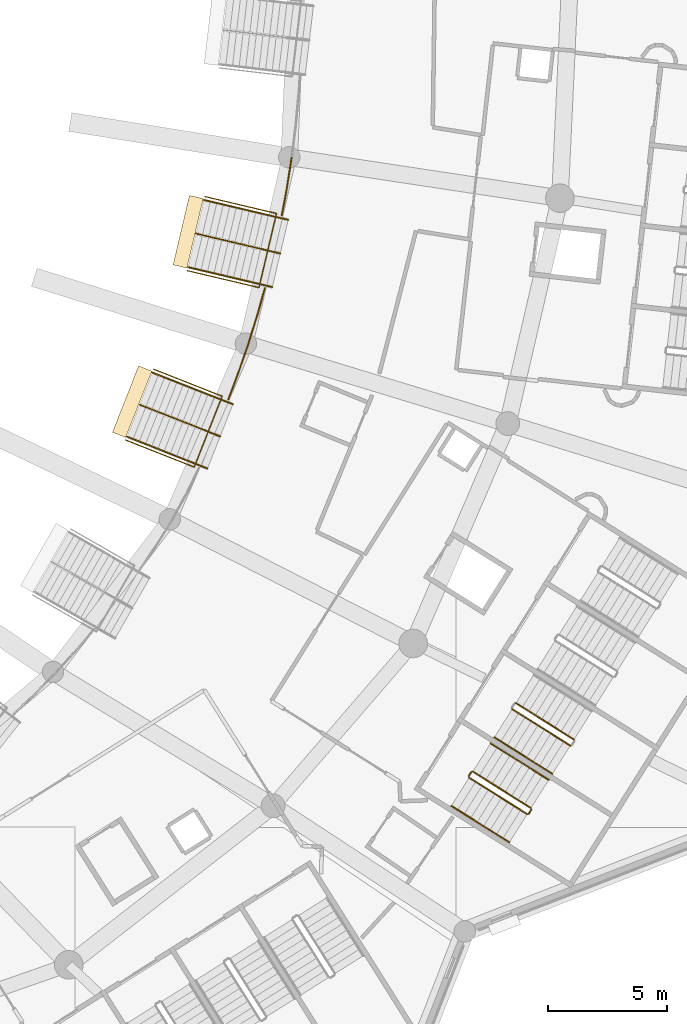
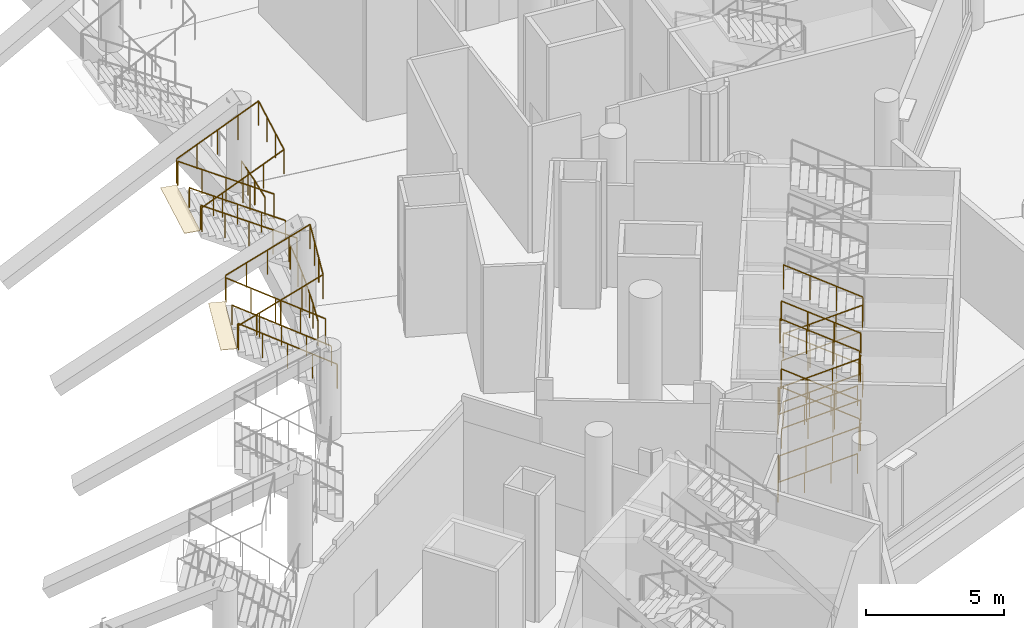
# One storey, part 134 of 173: 28 railings, 2 coverings.
"""IFC4 building model written with IfcOpenShell, lengths in metres."""

from ifc_helpers import new_model, si_unit, direction, frame, origin, origin_2d, place, context, subcontext, project, spatial, rectangle, circle, extrude, material, layer, layer_set, type_object, element, save


model = new_model("IFC4")

# Units and contexts
model_context = context("Model", 3, precision=1e-05, world=origin(), true_north=direction((0.0, 1.0)))
body_context = subcontext(model_context, "Body", "Model", "MODEL_VIEW")
ifc_project = project(units=[si_unit("LENGTHUNIT", "METRE"), si_unit("AREAUNIT", "SQUARE_METRE"), si_unit("VOLUMEUNIT", "CUBIC_METRE"), si_unit("PLANEANGLEUNIT", "RADIAN"), si_unit("MASSUNIT", "GRAM", prefix="KILO")], contexts=[model_context])

# Site, building, storey
site_placement = place(None, origin())
site = spatial("IfcSite", under=ifc_project, at=site_placement, CompositionType="ELEMENT")
building_placement = place(site_placement, origin())
building = spatial("IfcBuilding", under=site, at=building_placement, Name="Meseta Stadium", CompositionType="ELEMENT")
storey_placement = place(building_placement, frame((0.0, 0.0, 18.0)))
storey = spatial("IfcBuildingStorey", under=building, at=storey_placement, Name="L03", CompositionType="ELEMENT", Elevation=18.0)

# Railings
ifc_material_1 = material(Name="Steel S355", Category="steel")
railing_type_1 = type_object("IfcRailingType", Name="Plate edge guard 1100", PredefinedType="GUARDRAIL", material=ifc_material_1)
railing_1_placement = place(storey_placement, frame((70.4326171875, -62.01904296875, 0.0)))
element("IfcRailing", 1, at=railing_1_placement, inside=storey, type_object=railing_type_1, Name="L03 inner edge guard 56", PredefinedType="GUARDRAIL", context=body_context, shape_type="SweptSolid", body=[
    extrude(circle(Radius=0.02490234375, at=origin_2d()), frame((0.0, 0.0, 1.0751953125), z_axis=(0.353866131531, 0.935296081974, 0.0), x_axis=(-0.935296081974, 0.353866131531, 0.0)), (0.0, 0.0, 1.0), 1.111572265625),
    extrude(circle(Radius=0.02490234375, at=origin_2d()), frame((0.393310546875, 1.03955078125, 1.0751953125), z_axis=(0.326287243455, 0.945270667459, 0.0), x_axis=(-0.945270667459, 0.326287243455, 0.0)), (0.0, 0.0, 1.0), 1.344482421875),
    extrude(circle(Radius=0.02490234375, at=origin_2d()), frame((0.83203125, 2.310546875, 1.0751953125), z_axis=(0.298140588416, 0.954521969123, 0.0), x_axis=(-0.954521969123, 0.298140588416, 0.0)), (0.0, 0.0, 1.0), 1.344482421875),
    extrude(circle(Radius=0.02490234375, at=origin_2d()), frame((1.23291015625, 3.593994140625, 1.0751953125), z_axis=(0.269727135959, 0.9629367955, 0.0), x_axis=(-0.9629367955, 0.269727135959, 0.0)), (0.0, 0.0, 1.0), 1.117919921875),
    extrude(circle(Radius=0.02001953125, at=origin_2d()), origin(), (0.0, 0.0, 1.0), 1.050048828125),
    extrude(circle(Radius=0.02001953125, at=origin_2d()), frame((0.393310546875, 1.03955078125, 0.0)), (0.0, 0.0, 1.0), 1.050048828125),
    extrude(circle(Radius=0.02001953125, at=origin_2d()), frame((0.61279296875, 1.675048828125, 0.0)), (0.0, 0.0, 1.0), 1.050048828125),
    extrude(circle(Radius=0.02001953125, at=origin_2d()), frame((0.83203125, 2.310546875, 0.0)), (0.0, 0.0, 1.0), 1.050048828125),
    extrude(circle(Radius=0.02001953125, at=origin_2d()), frame((1.032470703125, 2.9521484375, 0.0)), (0.0, 0.0, 1.0), 1.050048828125),
    extrude(circle(Radius=0.02001953125, at=origin_2d()), frame((1.23291015625, 3.593994140625, 0.0)), (0.0, 0.0, 1.0), 1.050048828125),
    extrude(circle(Radius=0.02001953125, at=origin_2d()), frame((1.534423828125, 4.67041015625, 0.0)), (0.0, 0.0, 1.0), 1.050048828125),
])
railing_2_placement = place(storey_placement, frame((72.678955078125, -54.290283203125, 0.0)))
element("IfcRailing", 2, at=railing_2_placement, inside=storey, type_object=railing_type_1, Name="L03 inner edge guard 57", PredefinedType="GUARDRAIL", context=body_context, shape_type="SweptSolid", body=[
    extrude(circle(Radius=0.02490234375, at=origin_2d()), frame((0.0, 0.0, 1.0751953125), z_axis=(0.18318241136, 0.983078940965, 0.0), x_axis=(-0.983078940965, 0.18318241136, 0.0)), (0.0, 0.0, 1.0), 1.11962890625),
    extrude(circle(Radius=0.02490234375, at=origin_2d()), frame((0.205078125, 1.1005859375, 1.0751953125), z_axis=(0.154144257928, 0.98804835294, 0.0), x_axis=(-0.98804835294, 0.154144257928, 0.0)), (0.0, 0.0, 1.0), 1.3447265625),
    extrude(circle(Radius=0.02001953125, at=origin_2d()), origin(), (0.0, 0.0, 1.0), 1.050048828125),
    extrude(circle(Radius=0.02001953125, at=origin_2d()), frame((0.205078125, 1.1005859375, 0.0)), (0.0, 0.0, 1.0), 1.050048828125),
    extrude(circle(Radius=0.02001953125, at=origin_2d()), frame((0.30859375, 1.764892578125, 0.0)), (0.0, 0.0, 1.0), 1.050048828125),
    extrude(circle(Radius=0.02001953125, at=origin_2d()), frame((0.412353515625, 2.42919921875, 0.0)), (0.0, 0.0, 1.0), 1.050048828125),
])
ifc_material_2 = material(Name="Steel S355", Category="steel")
railing_type_2 = type_object("IfcRailingType", Name="Stair guard 1100", PredefinedType="GUARDRAIL", material=ifc_material_2)
railing_3_placement = place(storey_placement, frame((80.54736328125, -77.907958984375, 0.14990234375)))
element("IfcRailing", 3, at=railing_3_placement, inside=storey, type_object=railing_type_2, Name="ST109 L03 guard 1", PredefinedType="GUARDRAIL", context=body_context, shape_type="SweptSolid", body=[
    extrude(circle(Radius=0.02392578125, at=origin_2d()), frame((0.0, 0.0, 1.076171875), z_axis=(0.766655447606, -0.481731036161, 0.424469826318), x_axis=(0.53203959143, 0.846719477248, 0.0)), (0.0, 0.0, 1.0), 3.1806640625),
    extrude(circle(Radius=0.02099609375, at=origin_2d()), origin(), (0.0, 0.0, 1.0), 1.052001953125),
    extrude(circle(Radius=0.02099609375, at=origin_2d()), frame((0.812744140625, -0.5107421875, 0.449951171875)), (0.0, 0.0, 1.0), 1.052001953125),
    extrude(circle(Radius=0.02099609375, at=origin_2d()), frame((1.625732421875, -1.021484375, 0.900146484375)), (0.0, 0.0, 1.0), 1.052001953125),
    extrude(circle(Radius=0.02099609375, at=origin_2d()), frame((2.4384765625, -1.5322265625, 1.35009765625)), (0.0, 0.0, 1.0), 1.052001953125),
])
railing_4_placement = place(storey_placement, frame((83.054931640625, -79.42431640625, 1.5)))
element("IfcRailing", 4, at=railing_4_placement, inside=storey, type_object=railing_type_2, Name="ST109 L03 guard 2", PredefinedType="GUARDRAIL", context=body_context, shape_type="SweptSolid", body=[
    extrude(circle(Radius=0.02392578125, at=origin_2d()), frame((0.0, 0.0, 1.076171875), z_axis=(0.532521690573, 0.846416356806, 0.0), x_axis=(-0.846416356806, 0.532521690573, 0.0)), (0.0, 0.0, 1.0), 0.199951171875),
    extrude(circle(Radius=0.02099609375, at=origin_2d()), origin(), (0.0, 0.0, 1.0), 1.052001953125),
    extrude(circle(Radius=0.02099609375, at=origin_2d()), frame((0.1064453125, 0.169189453125, 0.0)), (0.0, 0.0, 1.0), 1.052001953125),
])
railing_5_placement = place(storey_placement, frame((83.1455078125, -79.18603515625, 1.64990234375)))
element("IfcRailing", 5, at=railing_5_placement, inside=storey, type_object=railing_type_2, Name="ST109 L03 guard 3", PredefinedType="GUARDRAIL", context=body_context, shape_type="SweptSolid", body=[
    extrude(circle(Radius=0.02392578125, at=origin_2d()), frame((0.0, 0.0, 1.076171875), z_axis=(-0.766655447606, 0.481731036161, 0.424469826318), x_axis=(-0.53203959143, -0.846719477248, 0.0)), (0.0, 0.0, 1.0), 3.1806640625),
    extrude(circle(Radius=0.02099609375, at=origin_2d()), origin(), (0.0, 0.0, 1.0), 1.052001953125),
    extrude(circle(Radius=0.02099609375, at=origin_2d()), frame((-0.812744140625, 0.5107421875, 0.449951171875)), (0.0, 0.0, 1.0), 1.052001953125),
    extrude(circle(Radius=0.02099609375, at=origin_2d()), frame((-1.625732421875, 1.021484375, 0.900146484375)), (0.0, 0.0, 1.0), 1.052001953125),
    extrude(circle(Radius=0.02099609375, at=origin_2d()), frame((-2.4384765625, 1.5322265625, 1.35009765625)), (0.0, 0.0, 1.0), 1.052001953125),
])
railing_6_placement = place(storey_placement, frame((80.53173828125, -77.8388671875, 3.0)))
element("IfcRailing", 6, at=railing_6_placement, inside=storey, type_object=railing_type_2, Name="ST109 L03 guard 4", PredefinedType="GUARDRAIL", context=body_context, shape_type="SweptSolid", body=[
    extrude(circle(Radius=0.02392578125, at=origin_2d()), frame((0.0, 0.0, 1.076171875), z_axis=(0.531645814745, 0.846966780732, 0.0), x_axis=(-0.846966780732, 0.531645814745, 0.0)), (0.0, 0.0, 1.0), 0.19970703125),
    extrude(circle(Radius=0.02099609375, at=origin_2d()), origin(), (0.0, 0.0, 1.0), 1.052001953125),
    extrude(circle(Radius=0.02099609375, at=origin_2d()), frame((0.106201171875, 0.169189453125, 0.0)), (0.0, 0.0, 1.0), 1.052001953125),
])
railing_7_placement = place(storey_placement, frame((80.54736328125, -77.907958984375, 3.14990234375)))
element("IfcRailing", 7, at=railing_7_placement, inside=storey, type_object=railing_type_2, Name="ST109 L03 guard 5", PredefinedType="GUARDRAIL", context=body_context, shape_type="SweptSolid", body=[
    extrude(circle(Radius=0.02392578125, at=origin_2d()), frame((0.0, 0.0, 1.076171875), z_axis=(0.766655447606, -0.481731036161, 0.424469826318), x_axis=(0.53203959143, 0.846719477248, 0.0)), (0.0, 0.0, 1.0), 3.1806640625),
    extrude(circle(Radius=0.02099609375, at=origin_2d()), origin(), (0.0, 0.0, 1.0), 1.052001953125),
    extrude(circle(Radius=0.02099609375, at=origin_2d()), frame((0.812744140625, -0.5107421875, 0.449951171875)), (0.0, 0.0, 1.0), 1.052001953125),
    extrude(circle(Radius=0.02099609375, at=origin_2d()), frame((1.625732421875, -1.021484375, 0.900146484375)), (0.0, 0.0, 1.0), 1.052001953125),
    extrude(circle(Radius=0.02099609375, at=origin_2d()), frame((2.4384765625, -1.5322265625, 1.35009765625)), (0.0, 0.0, 1.0), 1.052001953125),
])
railing_8_placement = place(storey_placement, frame((83.054931640625, -79.42431640625, 4.5)))
element("IfcRailing", 8, at=railing_8_placement, inside=storey, type_object=railing_type_2, Name="ST109 L03 guard 6", PredefinedType="GUARDRAIL", context=body_context, shape_type="SweptSolid", body=[
    extrude(circle(Radius=0.02392578125, at=origin_2d()), frame((0.0, 0.0, 1.076171875), z_axis=(0.532521690573, 0.846416356806, 0.0), x_axis=(-0.846416356806, 0.532521690573, 0.0)), (0.0, 0.0, 1.0), 0.199951171875),
    extrude(circle(Radius=0.02099609375, at=origin_2d()), origin(), (0.0, 0.0, 1.0), 1.052001953125),
    extrude(circle(Radius=0.02099609375, at=origin_2d()), frame((0.1064453125, 0.169189453125, 0.0)), (0.0, 0.0, 1.0), 1.052001953125),
])
railing_9_placement = place(storey_placement, frame((83.1455078125, -79.18603515625, 4.64990234375)))
element("IfcRailing", 9, at=railing_9_placement, inside=storey, type_object=railing_type_2, Name="ST109 L03 guard 7", PredefinedType="GUARDRAIL", context=body_context, shape_type="SweptSolid", body=[
    extrude(circle(Radius=0.02392578125, at=origin_2d()), frame((0.0, 0.0, 1.076171875), z_axis=(-0.766655447606, 0.481731036161, 0.424469826318), x_axis=(-0.53203959143, -0.846719477248, 0.0)), (0.0, 0.0, 1.0), 3.1806640625),
    extrude(circle(Radius=0.02099609375, at=origin_2d()), origin(), (0.0, 0.0, 1.0), 1.052001953125),
    extrude(circle(Radius=0.02099609375, at=origin_2d()), frame((-0.812744140625, 0.5107421875, 0.449951171875)), (0.0, 0.0, 1.0), 1.052001953125),
    extrude(circle(Radius=0.02099609375, at=origin_2d()), frame((-1.625732421875, 1.021484375, 0.900146484375)), (0.0, 0.0, 1.0), 1.052001953125),
    extrude(circle(Radius=0.02099609375, at=origin_2d()), frame((-2.4384765625, 1.5322265625, 1.35009765625)), (0.0, 0.0, 1.0), 1.052001953125),
])
railing_10_placement = place(storey_placement, frame((80.53173828125, -77.8388671875, 0.0)))
element("IfcRailing", 10, at=railing_10_placement, inside=storey, type_object=railing_type_2, Name="ST109 L03 guard 8", PredefinedType="GUARDRAIL", context=body_context, shape_type="SweptSolid", body=[
    extrude(circle(Radius=0.02392578125, at=origin_2d()), frame((0.0, 0.0, 1.076171875), z_axis=(0.531645814745, 0.846966780732, 0.0), x_axis=(-0.846966780732, 0.531645814745, 0.0)), (0.0, 0.0, 1.0), 0.19970703125),
    extrude(circle(Radius=0.02099609375, at=origin_2d()), origin(), (0.0, 0.0, 1.0), 1.052001953125),
    extrude(circle(Radius=0.02099609375, at=origin_2d()), frame((0.106201171875, 0.169189453125, 0.0)), (0.0, 0.0, 1.0), 1.052001953125),
])
railing_11_placement = place(storey_placement, frame((82.356201171875, -75.029052734375, 0.14990234375)))
element("IfcRailing", 11, at=railing_11_placement, inside=storey, type_object=railing_type_2, Name="ST110 L03 guard 1", PredefinedType="GUARDRAIL", context=body_context, shape_type="SweptSolid", body=[
    extrude(circle(Radius=0.02392578125, at=origin_2d()), frame((0.0, 0.0, 1.076171875), z_axis=(0.766687087345, -0.481702688975, 0.424444848635), x_axis=(0.532001404082, 0.84674347122, 0.0)), (0.0, 0.0, 1.0), 3.180908203125),
    extrude(circle(Radius=0.02099609375, at=origin_2d()), origin(), (0.0, 0.0, 1.0), 1.052001953125),
    extrude(circle(Radius=0.02099609375, at=origin_2d()), frame((0.81298828125, -0.5107421875, 0.449951171875)), (0.0, 0.0, 1.0), 1.052001953125),
    extrude(circle(Radius=0.02099609375, at=origin_2d()), frame((1.625732421875, -1.021484375, 0.900146484375)), (0.0, 0.0, 1.0), 1.052001953125),
    extrude(circle(Radius=0.02099609375, at=origin_2d()), frame((2.438720703125, -1.5322265625, 1.35009765625)), (0.0, 0.0, 1.0), 1.052001953125),
])
railing_12_placement = place(storey_placement, frame((84.954345703125, -76.307373046875, 1.64990234375)))
element("IfcRailing", 12, at=railing_12_placement, inside=storey, type_object=railing_type_2, Name="ST110 L03 guard 3", PredefinedType="GUARDRAIL", context=body_context, shape_type="SweptSolid", body=[
    extrude(circle(Radius=0.02392578125, at=origin_2d()), frame((0.0, 0.0, 1.076171875), z_axis=(-0.766655447606, 0.481731036161, 0.424469826318), x_axis=(-0.53203959143, -0.846719477248, 0.0)), (0.0, 0.0, 1.0), 3.1806640625),
    extrude(circle(Radius=0.02099609375, at=origin_2d()), origin(), (0.0, 0.0, 1.0), 1.052001953125),
    extrude(circle(Radius=0.02099609375, at=origin_2d()), frame((-0.812744140625, 0.5107421875, 0.449951171875)), (0.0, 0.0, 1.0), 1.052001953125),
    extrude(circle(Radius=0.02099609375, at=origin_2d()), frame((-1.625732421875, 1.021484375, 0.900146484375)), (0.0, 0.0, 1.0), 1.052001953125),
    extrude(circle(Radius=0.02099609375, at=origin_2d()), frame((-2.4384765625, 1.5322265625, 1.35009765625)), (0.0, 0.0, 1.0), 1.052001953125),
])
railing_13_placement = place(storey_placement, frame((82.356201171875, -75.029052734375, 3.14990234375)))
element("IfcRailing", 13, at=railing_13_placement, inside=storey, type_object=railing_type_2, Name="ST110 L03 guard 5", PredefinedType="GUARDRAIL", context=body_context, shape_type="SweptSolid", body=[
    extrude(circle(Radius=0.02392578125, at=origin_2d()), frame((0.0, 0.0, 1.076171875), z_axis=(0.766687087345, -0.481702688975, 0.424444848635), x_axis=(0.532001404082, 0.84674347122, 0.0)), (0.0, 0.0, 1.0), 3.180908203125),
    extrude(circle(Radius=0.02099609375, at=origin_2d()), origin(), (0.0, 0.0, 1.0), 1.052001953125),
    extrude(circle(Radius=0.02099609375, at=origin_2d()), frame((0.81298828125, -0.5107421875, 0.449951171875)), (0.0, 0.0, 1.0), 1.052001953125),
    extrude(circle(Radius=0.02099609375, at=origin_2d()), frame((1.625732421875, -1.021484375, 0.900146484375)), (0.0, 0.0, 1.0), 1.052001953125),
    extrude(circle(Radius=0.02099609375, at=origin_2d()), frame((2.438720703125, -1.5322265625, 1.35009765625)), (0.0, 0.0, 1.0), 1.052001953125),
])
railing_14_placement = place(storey_placement, frame((84.954345703125, -76.307373046875, 4.64990234375)))
element("IfcRailing", 14, at=railing_14_placement, inside=storey, type_object=railing_type_2, Name="ST110 L03 guard 7", PredefinedType="GUARDRAIL", context=body_context, shape_type="SweptSolid", body=[
    extrude(circle(Radius=0.02392578125, at=origin_2d()), frame((0.0, 0.0, 1.076171875), z_axis=(-0.766655447606, 0.481731036161, 0.424469826318), x_axis=(-0.53203959143, -0.846719477248, 0.0)), (0.0, 0.0, 1.0), 3.1806640625),
    extrude(circle(Radius=0.02099609375, at=origin_2d()), origin(), (0.0, 0.0, 1.0), 1.052001953125),
    extrude(circle(Radius=0.02099609375, at=origin_2d()), frame((-0.812744140625, 0.5107421875, 0.449951171875)), (0.0, 0.0, 1.0), 1.052001953125),
    extrude(circle(Radius=0.02099609375, at=origin_2d()), frame((-1.625732421875, 1.021484375, 0.900146484375)), (0.0, 0.0, 1.0), 1.052001953125),
    extrude(circle(Radius=0.02099609375, at=origin_2d()), frame((-2.4384765625, 1.5322265625, 1.35009765625)), (0.0, 0.0, 1.0), 1.052001953125),
])
ifc_material_3 = material(Name="Steel S355", Category="steel")
railing_type_3 = type_object("IfcRailingType", Name="Stair handrail 900", PredefinedType="HANDRAIL", material=ifc_material_3)
railing_15_placement = place(storey_placement, frame((79.802490234375, -79.09326171875, 0.14990234375)))
element("IfcRailing", 15, at=railing_15_placement, inside=storey, type_object=railing_type_3, Name="ST109 L03 handrail 1", PredefinedType="HANDRAIL", context=body_context, shape_type="SweptSolid", body=[
    extrude(circle(Radius=0.02392578125, at=origin_2d()), frame((0.0, 0.0, 0.8759765625), z_axis=(0.766687087345, -0.481702688975, 0.424444848635), x_axis=(0.532001404082, 0.84674347122, 0.0)), (0.0, 0.0, 1.0), 3.180908203125),
    extrude(circle(Radius=0.02099609375, at=origin_2d()), origin(), (0.0, 0.0, 1.0), 0.851806640625),
    extrude(circle(Radius=0.02099609375, at=origin_2d()), frame((0.81298828125, -0.5107421875, 0.449951171875)), (0.0, 0.0, 1.0), 0.851806640625),
    extrude(circle(Radius=0.02099609375, at=origin_2d()), frame((1.625732421875, -1.021484375, 0.900146484375)), (0.0, 0.0, 1.0), 0.851806640625),
    extrude(circle(Radius=0.02099609375, at=origin_2d()), frame((2.438720703125, -1.5322265625, 1.35009765625)), (0.0, 0.0, 1.0), 0.851806640625),
])
railing_16_placement = place(storey_placement, frame((83.890380859375, -78.000732421875, 1.64990234375)))
element("IfcRailing", 16, at=railing_16_placement, inside=storey, type_object=railing_type_3, Name="ST109 L03 handrail 2", PredefinedType="HANDRAIL", context=body_context, shape_type="SweptSolid", body=[
    extrude(circle(Radius=0.02392578125, at=origin_2d()), frame((0.0, 0.0, 0.8759765625), z_axis=(-0.766655447606, 0.481731036161, 0.424469826318), x_axis=(-0.53203959143, -0.846719477248, 0.0)), (0.0, 0.0, 1.0), 3.1806640625),
    extrude(circle(Radius=0.02099609375, at=origin_2d()), origin(), (0.0, 0.0, 1.0), 0.851806640625),
    extrude(circle(Radius=0.02099609375, at=origin_2d()), frame((-0.812744140625, 0.5107421875, 0.449951171875)), (0.0, 0.0, 1.0), 0.851806640625),
    extrude(circle(Radius=0.02099609375, at=origin_2d()), frame((-1.625732421875, 1.021484375, 0.900146484375)), (0.0, 0.0, 1.0), 0.851806640625),
    extrude(circle(Radius=0.02099609375, at=origin_2d()), frame((-2.4384765625, 1.5322265625, 1.35009765625)), (0.0, 0.0, 1.0), 0.851806640625),
])
railing_17_placement = place(storey_placement, frame((79.802490234375, -79.09326171875, 3.14990234375)))
element("IfcRailing", 17, at=railing_17_placement, inside=storey, type_object=railing_type_3, Name="ST109 L03 handrail 3", PredefinedType="HANDRAIL", context=body_context, shape_type="SweptSolid", body=[
    extrude(circle(Radius=0.02392578125, at=origin_2d()), frame((0.0, 0.0, 0.8759765625), z_axis=(0.766687087345, -0.481702688975, 0.424444848635), x_axis=(0.532001404082, 0.84674347122, 0.0)), (0.0, 0.0, 1.0), 3.180908203125),
    extrude(circle(Radius=0.02099609375, at=origin_2d()), origin(), (0.0, 0.0, 1.0), 0.851806640625),
    extrude(circle(Radius=0.02099609375, at=origin_2d()), frame((0.81298828125, -0.5107421875, 0.449951171875)), (0.0, 0.0, 1.0), 0.851806640625),
    extrude(circle(Radius=0.02099609375, at=origin_2d()), frame((1.625732421875, -1.021484375, 0.900146484375)), (0.0, 0.0, 1.0), 0.851806640625),
    extrude(circle(Radius=0.02099609375, at=origin_2d()), frame((2.438720703125, -1.5322265625, 1.35009765625)), (0.0, 0.0, 1.0), 0.851806640625),
])
railing_18_placement = place(storey_placement, frame((83.890380859375, -78.000732421875, 4.64990234375)))
element("IfcRailing", 18, at=railing_18_placement, inside=storey, type_object=railing_type_3, Name="ST109 L03 handrail 4", PredefinedType="HANDRAIL", context=body_context, shape_type="SweptSolid", body=[
    extrude(circle(Radius=0.02392578125, at=origin_2d()), frame((0.0, 0.0, 0.8759765625), z_axis=(-0.766655447606, 0.481731036161, 0.424469826318), x_axis=(-0.53203959143, -0.846719477248, 0.0)), (0.0, 0.0, 1.0), 3.1806640625),
    extrude(circle(Radius=0.02099609375, at=origin_2d()), origin(), (0.0, 0.0, 1.0), 0.851806640625),
    extrude(circle(Radius=0.02099609375, at=origin_2d()), frame((-0.812744140625, 0.5107421875, 0.449951171875)), (0.0, 0.0, 1.0), 0.851806640625),
    extrude(circle(Radius=0.02099609375, at=origin_2d()), frame((-1.625732421875, 1.021484375, 0.900146484375)), (0.0, 0.0, 1.0), 0.851806640625),
    extrude(circle(Radius=0.02099609375, at=origin_2d()), frame((-2.4384765625, 1.5322265625, 1.35009765625)), (0.0, 0.0, 1.0), 0.851806640625),
])
for number, where, name in (
    (19, (81.611328125, -76.21435546875, 0.14990234375), "ST110 L03 handrail 1"),
    (20, (81.611328125, -76.21435546875, 3.14990234375), "ST110 L03 handrail 3"),
):
    element("IfcRailing", number, at=place(storey_placement, frame(where)), inside=storey, type_object=railing_type_3, Name=name, PredefinedType="HANDRAIL", context=body_context, shape_type="SweptSolid", body=[
        extrude(circle(Radius=0.02392578125, at=origin_2d()), frame((0.0, 0.0, 0.8759765625), z_axis=(0.766658740556, -0.481761629239, 0.424429155599), x_axis=(0.532062176173, 0.846705285613, 0.0)), (0.0, 0.0, 1.0), 3.180908203125),
        extrude(circle(Radius=0.02099609375, at=origin_2d()), origin(), (0.0, 0.0, 1.0), 0.851806640625),
        extrude(circle(Radius=0.02099609375, at=origin_2d()), frame((0.81298828125, -0.5107421875, 0.449951171875)), (0.0, 0.0, 1.0), 0.851806640625),
        extrude(circle(Radius=0.02099609375, at=origin_2d()), frame((1.625732421875, -1.021728515625, 0.900146484375)), (0.0, 0.0, 1.0), 0.851806640625),
        extrude(circle(Radius=0.02099609375, at=origin_2d()), frame((2.438720703125, -1.532470703125, 1.35009765625)), (0.0, 0.0, 1.0), 0.851806640625),
    ])

# Coverings
ifc_material_4 = material(Name="Stone paving", Category="masonry")
ifc_layer = layer(ifc_material_4, 0.02001953125)
ifc_layer_set = layer_set([ifc_layer], Name="Vomitory exit threshold plate 20")
covering_type = type_object("IfcCoveringType", Name="Vomitory exit threshold plate 20", PredefinedType="FLOORING", material=ifc_layer_set)
for number, where, z_axis, x_axis, name in (
    (21, (66.393310546875, -62.11376953125, 2.33056640625), (0.0, 0.0, 1.0), (-0.930263326339, 0.366892550576, 0.0), "Vomitory V-upper-55 exit threshold"),
    (22, (68.74658203125, -54.975341796875, 2.330810546875), (0.0, 0.0, 1.0), (-0.973256309483, 0.229721910255, 0.0), "Vomitory V-upper-56 exit threshold"),
):
    element("IfcCovering", number, at=place(storey_placement, frame(where, z_axis=z_axis, x_axis=x_axis)), inside=storey, type_object=covering_type, Name=name, PredefinedType="FLOORING", context=body_context, shape_type="SweptSolid", body=[
        extrude(rectangle(XDim=0.60009765625, YDim=3.0, at=origin_2d()), origin(), (0.0, 0.0, 1.0), 0.02001953125),
    ])

# Railings
ifc_material_5 = material(Name="Steel S355", Category="steel")
railing_type_4 = type_object("IfcRailingType", Name="Vomitory slot guard 1100", PredefinedType="GUARDRAIL", material=ifc_material_5)
railing_19_placement = place(storey_placement, frame((67.291015625, -60.747802734375, 2.3505859375)))
element("IfcRailing", 23, at=railing_19_placement, inside=storey, type_object=railing_type_4, Name="Vomitory V-upper-55 slot guard", PredefinedType="GUARDRAIL", context=body_context, shape_type="SweptSolid", body=[
    extrude(circle(Radius=0.02490234375, at=origin_2d()), frame((0.0, 0.0, 1.0751953125), z_axis=(0.788853250074, -0.311146909253, 0.529998255383), x_axis=(0.366919073757, 0.930252865254, 0.0)), (0.0, 0.0, 1.0), 3.65576171875),
    extrude(circle(Radius=0.02490234375, at=origin_2d()), frame((2.8837890625, -1.137451171875, 3.0126953125), z_axis=(-0.366900745738, -0.930260094155, 0.0), x_axis=(0.930260094155, -0.366900745738, 0.0)), (0.0, 0.0, 1.0), 3.199951171875),
    extrude(circle(Radius=0.02490234375, at=origin_2d()), frame((1.709716796875, -4.1142578125, 3.0126953125), z_axis=(-0.788853250074, 0.311146909253, -0.529998255383), x_axis=(-0.366919073757, -0.930252865254, 0.0)), (0.0, 0.0, 1.0), 3.65576171875),
    extrude(circle(Radius=0.02001953125, at=origin_2d()), origin(), (0.0, 0.0, 1.0), 1.050048828125),
    extrude(circle(Radius=0.02001953125, at=origin_2d()), frame((0.720947265625, -0.284423828125, 0.484375)), (0.0, 0.0, 1.0), 1.050048828125),
    extrude(circle(Radius=0.02001953125, at=origin_2d()), frame((1.44189453125, -0.56884765625, 0.96875)), (0.0, 0.0, 1.0), 1.050048828125),
    extrude(circle(Radius=0.02001953125, at=origin_2d()), frame((2.162841796875, -0.85302734375, 1.453125)), (0.0, 0.0, 1.0), 1.050048828125),
    extrude(circle(Radius=0.02001953125, at=origin_2d()), frame((2.8837890625, -1.137451171875, 1.9375)), (0.0, 0.0, 1.0), 1.050048828125),
    extrude(circle(Radius=0.02001953125, at=origin_2d()), frame((2.492431640625, -2.129638671875, 1.9375)), (0.0, 0.0, 1.0), 1.050048828125),
    extrude(circle(Radius=0.02001953125, at=origin_2d()), frame((2.10107421875, -3.1220703125, 1.9375)), (0.0, 0.0, 1.0), 1.050048828125),
    extrude(circle(Radius=0.02001953125, at=origin_2d()), frame((1.709716796875, -4.1142578125, 1.9375)), (0.0, 0.0, 1.0), 1.050048828125),
    extrude(circle(Radius=0.02001953125, at=origin_2d()), frame((0.98876953125, -3.829833984375, 1.453125)), (0.0, 0.0, 1.0), 1.050048828125),
    extrude(circle(Radius=0.02001953125, at=origin_2d()), frame((0.267822265625, -3.54541015625, 0.96875)), (0.0, 0.0, 1.0), 1.050048828125),
    extrude(circle(Radius=0.02001953125, at=origin_2d()), frame((-0.453125, -3.26123046875, 0.484375)), (0.0, 0.0, 1.0), 1.050048828125),
    extrude(circle(Radius=0.02001953125, at=origin_2d()), frame((-1.174072265625, -2.976806640625, 0.0)), (0.0, 0.0, 1.0), 1.050048828125),
])
railing_20_placement = place(storey_placement, frame((69.439208984375, -53.494873046875, 2.3505859375)))
element("IfcRailing", 24, at=railing_20_placement, inside=storey, type_object=railing_type_4, Name="Vomitory V-upper-56 slot guard", PredefinedType="GUARDRAIL", context=body_context, shape_type="SweptSolid", body=[
    extrude(circle(Radius=0.02490234375, at=origin_2d()), frame((0.0, 0.0, 1.0751953125), z_axis=(0.825318396523, -0.194809335059, 0.529998931446), x_axis=(0.229728447463, 0.973254766454, 0.0)), (0.0, 0.0, 1.0), 3.65576171875),
    extrude(circle(Radius=0.02490234375, at=origin_2d()), frame((3.01708984375, -0.712158203125, 3.0126953125), z_axis=(-0.229732459273, -0.973253819492, 0.0), x_axis=(0.973253819492, -0.229732459273, 0.0)), (0.0, 0.0, 1.0), 3.199951171875),
    extrude(circle(Radius=0.02490234375, at=origin_2d()), frame((2.281982421875, -3.826416015625, 3.0126953125), z_axis=(-0.825329132428, 0.194745084169, -0.530005825777), x_axis=(-0.22965384671, -0.973272372305, 0.0)), (0.0, 0.0, 1.0), 3.655517578125),
    extrude(circle(Radius=0.02001953125, at=origin_2d()), origin(), (0.0, 0.0, 1.0), 1.050048828125),
    extrude(circle(Radius=0.02001953125, at=origin_2d()), frame((0.75439453125, -0.177978515625, 0.484375)), (0.0, 0.0, 1.0), 1.050048828125),
    extrude(circle(Radius=0.02001953125, at=origin_2d()), frame((1.508544921875, -0.35595703125, 0.96875)), (0.0, 0.0, 1.0), 1.050048828125),
    extrude(circle(Radius=0.02001953125, at=origin_2d()), frame((2.2626953125, -0.5341796875, 1.453125)), (0.0, 0.0, 1.0), 1.050048828125),
    extrude(circle(Radius=0.02001953125, at=origin_2d()), frame((3.01708984375, -0.712158203125, 1.9375)), (0.0, 0.0, 1.0), 1.050048828125),
    extrude(circle(Radius=0.02001953125, at=origin_2d()), frame((2.77197265625, -1.750244140625, 1.9375)), (0.0, 0.0, 1.0), 1.050048828125),
    extrude(circle(Radius=0.02001953125, at=origin_2d()), frame((2.527099609375, -2.788330078125, 1.9375)), (0.0, 0.0, 1.0), 1.050048828125),
    extrude(circle(Radius=0.02001953125, at=origin_2d()), frame((2.281982421875, -3.826416015625, 1.9375)), (0.0, 0.0, 1.0), 1.050048828125),
    extrude(circle(Radius=0.02001953125, at=origin_2d()), frame((1.52783203125, -3.6484375, 1.453125)), (0.0, 0.0, 1.0), 1.050048828125),
    extrude(circle(Radius=0.02001953125, at=origin_2d()), frame((0.7734375, -3.470458984375, 0.96875)), (0.0, 0.0, 1.0), 1.050048828125),
    extrude(circle(Radius=0.02001953125, at=origin_2d()), frame((0.01904296875, -3.29248046875, 0.484375)), (0.0, 0.0, 1.0), 1.050048828125),
    extrude(circle(Radius=0.02001953125, at=origin_2d()), frame((-0.735107421875, -3.114501953125, 0.0)), (0.0, 0.0, 1.0), 1.050048828125),
])
ifc_material_6 = material(Name="Steel S355", Category="steel")
railing_type_5 = type_object("IfcRailingType", Name="Vomitory stair guard 1100", PredefinedType="GUARDRAIL", material=ifc_material_6)
for number, where, name in (
    (25, (69.55810546875, -64.920654296875, 0.16796875), "Vomitory V-upper-55 guard left"),
    (26, (70.6220703125, -62.222900390625, 0.16796875), "Vomitory V-upper-55 guard right"),
):
    element("IfcRailing", number, at=place(storey_placement, frame(where)), inside=storey, type_object=railing_type_5, Name=name, PredefinedType="GUARDRAIL", context=body_context, shape_type="SweptSolid", body=[
        extrude(circle(Radius=0.02490234375, at=origin_2d()), frame((0.0, 0.0, 1.0751953125), z_axis=(-0.797836414941, 0.314647814688, 0.514250724555), x_axis=(-0.366876373084, -0.930269706522, 0.0)), (0.0, 0.0, 1.0), 4.244384765625),
        extrude(circle(Radius=0.02001953125, at=origin_2d()), origin(), (0.0, 0.0, 1.0), 1.050048828125),
        extrude(circle(Radius=0.02001953125, at=origin_2d()), frame((-0.8466796875, 0.333984375, 0.545654296875)), (0.0, 0.0, 1.0), 1.050048828125),
        extrude(circle(Radius=0.02001953125, at=origin_2d()), frame((-1.693115234375, 0.667724609375, 1.09130859375)), (0.0, 0.0, 1.0), 1.050048828125),
        extrude(circle(Radius=0.02001953125, at=origin_2d()), frame((-2.53955078125, 1.00146484375, 1.636962890625)), (0.0, 0.0, 1.0), 1.050048828125),
        extrude(circle(Radius=0.02001953125, at=origin_2d()), frame((-3.38623046875, 1.33544921875, 2.1826171875)), (0.0, 0.0, 1.0), 1.050048828125),
    ])
for number, where, name in (
    (27, (72.28125, -57.299560546875, 0.16796875), "Vomitory V-upper-56 guard left"),
    (28, (72.947509765625, -54.47705078125, 0.16796875), "Vomitory V-upper-56 guard right"),
):
    element("IfcRailing", number, at=place(storey_placement, frame(where)), inside=storey, type_object=railing_type_5, Name=name, PredefinedType="GUARDRAIL", context=body_context, shape_type="SweptSolid", body=[
        extrude(circle(Radius=0.02490234375, at=origin_2d()), frame((0.0, 0.0, 1.0751953125), z_axis=(-0.834705619611, 0.197013765224, 0.514249068936), x_axis=(-0.229715919179, -0.973257723563, 0.0)), (0.0, 0.0, 1.0), 4.244384765625),
        extrude(circle(Radius=0.02001953125, at=origin_2d()), origin(), (0.0, 0.0, 1.0), 1.050048828125),
        extrude(circle(Radius=0.02001953125, at=origin_2d()), frame((-0.8857421875, 0.208984375, 0.545654296875)), (0.0, 0.0, 1.0), 1.050048828125),
        extrude(circle(Radius=0.02001953125, at=origin_2d()), frame((-1.771484375, 0.41796875, 1.09130859375)), (0.0, 0.0, 1.0), 1.050048828125),
        extrude(circle(Radius=0.02001953125, at=origin_2d()), frame((-2.656982421875, 0.627197265625, 1.636962890625)), (0.0, 0.0, 1.0), 1.050048828125),
        extrude(circle(Radius=0.02001953125, at=origin_2d()), frame((-3.542724609375, 0.836181640625, 2.1826171875)), (0.0, 0.0, 1.0), 1.050048828125),
    ])
ifc_material_7 = material(Name="Steel S355", Category="steel")
railing_type_6 = type_object("IfcRailingType", Name="Vomitory stair handrail 900", PredefinedType="HANDRAIL", material=ifc_material_7)
railing_21_placement = place(storey_placement, frame((70.090087890625, -63.57177734375, 0.16796875)))
element("IfcRailing", 29, at=railing_21_placement, inside=storey, type_object=railing_type_6, Name="Vomitory V-upper-55 central handrail", PredefinedType="HANDRAIL", context=body_context, shape_type="SweptSolid", body=[
    extrude(circle(Radius=0.02490234375, at=origin_2d()), frame((0.0, 0.0, 0.875), z_axis=(-0.797821973722, 0.314699640824, 0.514241416372), x_axis=(-0.366934413985, -0.930246814471, 0.0)), (0.0, 0.0, 1.0), 4.244384765625),
    extrude(circle(Radius=0.02001953125, at=origin_2d()), origin(), (0.0, 0.0, 1.0), 0.849853515625),
    extrude(circle(Radius=0.02001953125, at=origin_2d()), frame((-0.8466796875, 0.333984375, 0.545654296875)), (0.0, 0.0, 1.0), 0.849853515625),
    extrude(circle(Radius=0.02001953125, at=origin_2d()), frame((-1.693115234375, 0.66796875, 1.09130859375)), (0.0, 0.0, 1.0), 0.849853515625),
    extrude(circle(Radius=0.02001953125, at=origin_2d()), frame((-2.53955078125, 1.001708984375, 1.636962890625)), (0.0, 0.0, 1.0), 0.849853515625),
    extrude(circle(Radius=0.02001953125, at=origin_2d()), frame((-3.38623046875, 1.335693359375, 2.1826171875)), (0.0, 0.0, 1.0), 0.849853515625),
])
railing_22_placement = place(storey_placement, frame((72.6142578125, -55.88818359375, 0.16796875)))
element("IfcRailing", 30, at=railing_22_placement, inside=storey, type_object=railing_type_6, Name="Vomitory V-upper-56 central handrail", PredefinedType="HANDRAIL", context=body_context, shape_type="SweptSolid", body=[
    extrude(circle(Radius=0.02490234375, at=origin_2d()), frame((0.0, 0.0, 0.875), z_axis=(-0.834688173777, 0.19702322503, 0.5142737611), x_axis=(-0.229730915234, -0.973254183955, 0.0)), (0.0, 0.0, 1.0), 4.244140625),
    extrude(circle(Radius=0.02001953125, at=origin_2d()), origin(), (0.0, 0.0, 1.0), 0.849853515625),
    extrude(circle(Radius=0.02001953125, at=origin_2d()), frame((-0.8857421875, 0.208984375, 0.545654296875)), (0.0, 0.0, 1.0), 0.849853515625),
    extrude(circle(Radius=0.02001953125, at=origin_2d()), frame((-1.771240234375, 0.41796875, 1.09130859375)), (0.0, 0.0, 1.0), 0.849853515625),
    extrude(circle(Radius=0.02001953125, at=origin_2d()), frame((-2.65673828125, 0.627197265625, 1.636962890625)), (0.0, 0.0, 1.0), 0.849853515625),
    extrude(circle(Radius=0.02001953125, at=origin_2d()), frame((-3.54248046875, 0.836181640625, 2.1826171875)), (0.0, 0.0, 1.0), 0.849853515625),
])

save(model, "model.ifc")
